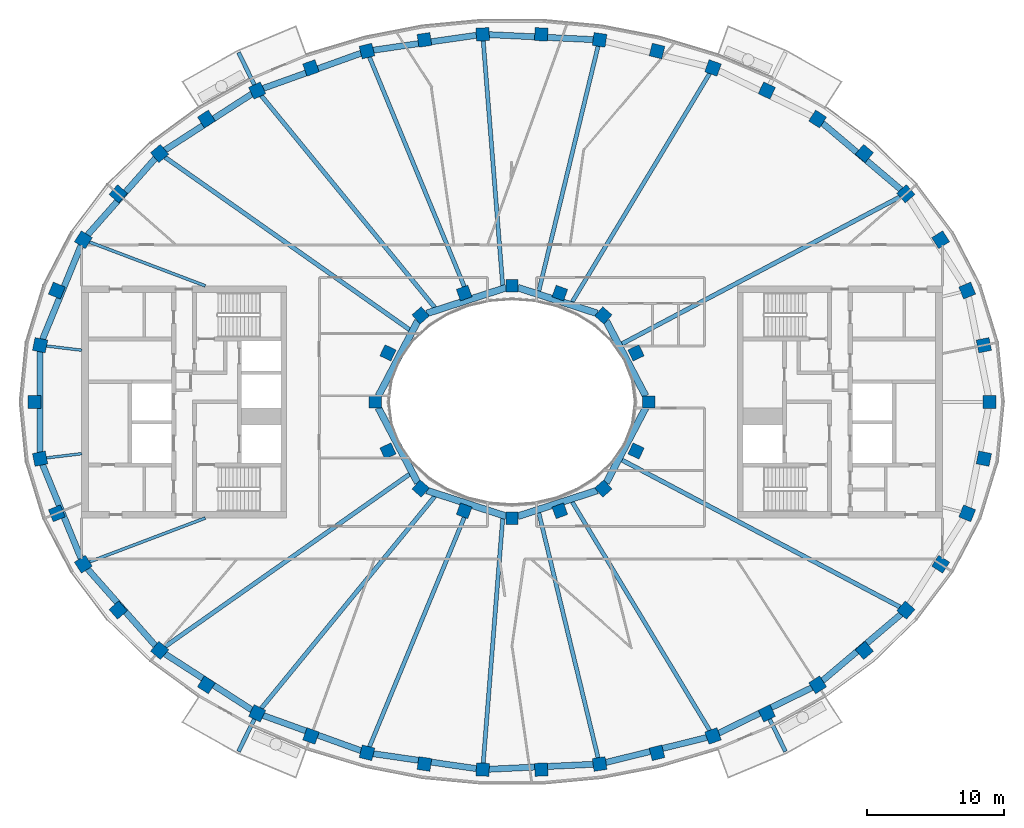
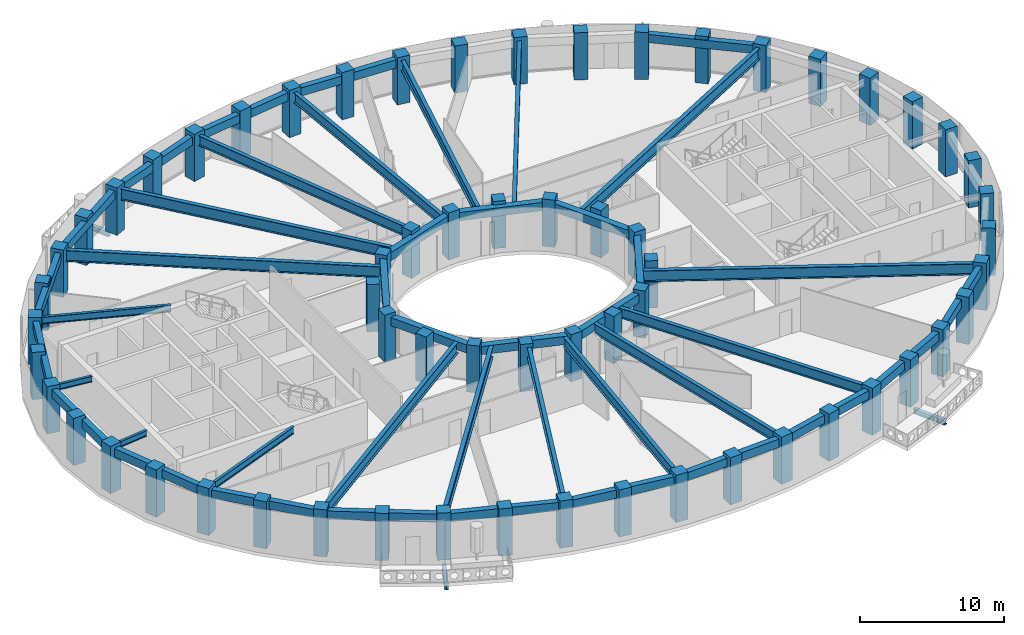
# One storey, part 1 of 15: 62 columns, 46 beams.
"""IFC4 building model written with IfcOpenShell, lengths in metres."""

from ifc_helpers import new_model, si_unit, direction, frame, origin, origin_2d, place, context, subcontext, project, spatial, rectangle, i_section, extrude, material, material_profile, profile_set, type_object, element, save


model = new_model("IFC4")

# Units and contexts
model_context = context("Model", 3, precision=1e-05, world=origin(), true_north=direction((0.0, 1.0)))
body_context = subcontext(model_context, "Body", "Model", "MODEL_VIEW")
ifc_project = project(units=[si_unit("LENGTHUNIT", "METRE"), si_unit("AREAUNIT", "SQUARE_METRE"), si_unit("VOLUMEUNIT", "CUBIC_METRE"), si_unit("PLANEANGLEUNIT", "RADIAN"), si_unit("MASSUNIT", "GRAM", prefix="KILO")], contexts=[model_context])

# Site, building, storey
site_placement = place(None, origin())
site = spatial("IfcSite", under=ifc_project, at=site_placement, CompositionType="ELEMENT")
building_placement = place(site_placement, origin())
building = spatial("IfcBuilding", under=site, at=building_placement, Name="Noorbagh Ring Tower", CompositionType="ELEMENT")
storey_placement = place(building_placement, frame((0.0, 0.0, 295.0)))
storey = spatial("IfcBuildingStorey", under=building, at=storey_placement, Name="L63", CompositionType="ELEMENT", Elevation=295.0)

# Columns
ifc_material_1 = material(Name="Concrete C50/60", Category="concrete")
ifc_material_profile_1 = material_profile(ifc_material_1, rectangle(XDim=0.949951171875, YDim=0.949951171875, at=origin_2d()), Name="RC950x950")
ifc_profile_set_1 = profile_set([ifc_material_profile_1], Name="Concrete C50/60")
column_type_1 = type_object("IfcColumnType", Name="STR-COL-RC950x950-C50-60", PredefinedType="COLUMN", material=ifc_profile_set_1)
for number, where, z_axis, x_axis, name in (
    (1, (34.944580078125, 0.0, 0.0), (0.0, 0.0, 1.0), (0.0, 1.0, 0.0), "L63/col/R1-01"),
    (2, (34.52685546875, 4.150634765625, 0.0), (0.0, 0.0, 1.0), (-0.19723040178, 0.9803571638, 0.0), "L63/col/R1-02"),
    (3, (33.30517578125, 8.1494140625, 0.0), (0.0, 0.0, 1.0), (-0.378989499959, 0.925400971969, 0.0), "L63/col/R1-03"),
    (4, (31.364990234375, 11.87109375, 0.0), (0.0, 0.0, 1.0), (-0.535190403059, 0.844731455833, 0.0), "L63/col/R1-04"),
    (5, (28.81884765625, 15.23046875, 0.0), (0.0, 0.0, 1.0), (-0.662635642662, 0.748941923699, 0.0), "L63/col/R1-05"),
    (6, (25.78271484375, 18.180419921875, 0.0), (0.0, 0.0, 1.0), (-0.763035199656, 0.646356932419, 0.0), "L63/col/R1-06"),
    (7, (22.362060546875, 20.699951171875, 0.0), (0.0, 0.0, 1.0), (-0.840247639643, 0.542202825586, 0.0), "L63/col/R1-07"),
    (8, (18.646240234375, 22.785400390625, 0.0), (0.0, 0.0, 1.0), (-0.898399080868, 0.439180021741, 0.0), "L63/col/R1-08"),
    (9, (14.70947265625, 24.44091796875, 0.0), (0.0, 0.0, 1.0), (-0.941024726094, 0.338337797003, 0.0), "L63/col/R1-09"),
    (10, (10.61328125, 25.673583984375, 0.0), (0.0, 0.0, 1.0), (-0.970829360981, 0.239771457553, 0.0), "L63/col/R1-10"),
    (11, (6.4091796875, 26.49072265625, 0.0), (0.0, 0.0, 1.0), (-0.989713114048, 0.143066249975, 0.0), "L63/col/R1-11"),
    (12, (2.14306640625, 26.89794921875, 0.0), (0.0, 0.0, 1.0), (-0.998868731212, 0.047552684538, 0.0), "L63/col/R1-12"),
    (13, (-2.14306640625, 26.89794921875, 0.0), (0.0, 0.0, 1.0), (-0.998868731212, -0.047552684538, 0.0), "L63/col/R1-13"),
    (14, (-6.4091796875, 26.49072265625, 0.0), (0.0, 0.0, 1.0), (-0.989713114048, -0.143066249975, 0.0), "L63/col/R1-14"),
    (15, (-10.61328125, 25.673583984375, 0.0), (0.0, 0.0, 1.0), (-0.970829360981, -0.239771457553, 0.0), "L63/col/R1-15"),
    (16, (-14.70947265625, 24.44091796875, 0.0), (0.0, 0.0, 1.0), (-0.941024726094, -0.338337797003, 0.0), "L63/col/R1-16"),
    (17, (-18.646240234375, 22.785400390625, 0.0), (0.0, 0.0, 1.0), (-0.898399080868, -0.439180021741, 0.0), "L63/col/R1-17"),
    (18, (-22.362060546875, 20.699951171875, 0.0), (0.0, 0.0, 1.0), (-0.840247639643, -0.542202825586, 0.0), "L63/col/R1-18"),
    (19, (-25.78271484375, 18.180419921875, 0.0), (0.0, 0.0, 1.0), (-0.763035199656, -0.646356932419, 0.0), "L63/col/R1-19"),
    (20, (-28.81884765625, 15.23046875, 0.0), (0.0, 0.0, 1.0), (-0.662635642662, -0.748941923699, 0.0), "L63/col/R1-20"),
    (21, (-31.364990234375, 11.87109375, 0.0), (0.0, 0.0, 1.0), (-0.535190403059, -0.844731455833, 0.0), "L63/col/R1-21"),
    (22, (-33.30517578125, 8.1494140625, 0.0), (0.0, 0.0, 1.0), (-0.378989499959, -0.925400971969, 0.0), "L63/col/R1-22"),
    (23, (-34.52685546875, 4.150634765625, 0.0), (0.0, 0.0, 1.0), (-0.19723040178, -0.9803571638, 0.0), "L63/col/R1-23"),
    (24, (-34.944580078125, 0.0, 0.0), (0.0, 0.0, 1.0), (0.0, -1.0, 0.0), "L63/col/R1-24"),
    (25, (-34.52685546875, -4.150634765625, 0.0), (0.0, 0.0, 1.0), (0.19723040178, -0.9803571638, 0.0), "L63/col/R1-25"),
    (26, (-33.30517578125, -8.1494140625, 0.0), (0.0, 0.0, 1.0), (0.378989499959, -0.925400971969, 0.0), "L63/col/R1-26"),
    (27, (-31.364990234375, -11.87109375, 0.0), (0.0, 0.0, 1.0), (0.535190403059, -0.844731455833, 0.0), "L63/col/R1-27"),
    (28, (-28.81884765625, -15.23046875, 0.0), (0.0, 0.0, 1.0), (0.662635642662, -0.748941923699, 0.0), "L63/col/R1-28"),
    (29, (-25.78271484375, -18.180419921875, 0.0), (0.0, 0.0, 1.0), (0.763035199656, -0.646356932419, 0.0), "L63/col/R1-29"),
    (30, (-22.362060546875, -20.699951171875, 0.0), (0.0, 0.0, 1.0), (0.840247639643, -0.542202825586, 0.0), "L63/col/R1-30"),
    (31, (-18.646240234375, -22.785400390625, 0.0), (0.0, 0.0, 1.0), (0.898399080868, -0.439180021741, 0.0), "L63/col/R1-31"),
    (32, (-14.70947265625, -24.44091796875, 0.0), (0.0, 0.0, 1.0), (0.941024726094, -0.338337797003, 0.0), "L63/col/R1-32"),
    (33, (-10.61328125, -25.673583984375, 0.0), (0.0, 0.0, 1.0), (0.970829360981, -0.239771457553, 0.0), "L63/col/R1-33"),
    (34, (-6.4091796875, -26.49072265625, 0.0), (0.0, 0.0, 1.0), (0.989713114048, -0.143066249975, 0.0), "L63/col/R1-34"),
    (35, (-2.14306640625, -26.89794921875, 0.0), (0.0, 0.0, 1.0), (0.998868731212, -0.047552684538, 0.0), "L63/col/R1-35"),
    (36, (2.14306640625, -26.89794921875, 0.0), (0.0, 0.0, 1.0), (0.998868731212, 0.047552684538, 0.0), "L63/col/R1-36"),
    (37, (6.4091796875, -26.49072265625, 0.0), (0.0, 0.0, 1.0), (0.989713114048, 0.143066249975, 0.0), "L63/col/R1-37"),
    (38, (10.61328125, -25.673583984375, 0.0), (0.0, 0.0, 1.0), (0.970829360981, 0.239771457553, 0.0), "L63/col/R1-38"),
    (39, (14.70947265625, -24.44091796875, 0.0), (0.0, 0.0, 1.0), (0.941024726094, 0.338337797003, 0.0), "L63/col/R1-39"),
    (40, (18.646240234375, -22.785400390625, 0.0), (0.0, 0.0, 1.0), (0.898399080868, 0.439180021741, 0.0), "L63/col/R1-40"),
    (41, (22.362060546875, -20.699951171875, 0.0), (0.0, 0.0, 1.0), (0.840247639643, 0.542202825586, 0.0), "L63/col/R1-41"),
    (42, (25.78271484375, -18.180419921875, 0.0), (0.0, 0.0, 1.0), (0.763035199656, 0.646356932419, 0.0), "L63/col/R1-42"),
    (43, (28.81884765625, -15.23046875, 0.0), (0.0, 0.0, 1.0), (0.662635642662, 0.748941923699, 0.0), "L63/col/R1-43"),
    (44, (31.364990234375, -11.87109375, 0.0), (0.0, 0.0, 1.0), (0.535190403059, 0.844731455833, 0.0), "L63/col/R1-44"),
    (45, (33.30517578125, -8.1494140625, 0.0), (0.0, 0.0, 1.0), (0.378989499959, 0.925400971969, 0.0), "L63/col/R1-45"),
    (46, (34.52685546875, -4.150634765625, 0.0), (0.0, 0.0, 1.0), (0.19723040178, 0.9803571638, 0.0), "L63/col/R1-46"),
):
    element("IfcColumn", number, at=place(storey_placement, frame(where, z_axis=z_axis, x_axis=x_axis)), inside=storey, type_object=column_type_1, Name=name, PredefinedType="COLUMN", context=body_context, shape_type="SweptSolid", body=[
        extrude(rectangle(XDim=0.949951171875, YDim=0.949951171875, at=origin_2d()), origin(), (0.0, 0.0, 1.0), 4.0),
    ])
ifc_material_2 = material(Name="Concrete C50/60", Category="concrete")
ifc_material_profile_2 = material_profile(ifc_material_2, rectangle(XDim=0.89990234375, YDim=0.89990234375, at=origin_2d()), Name="RC900x900")
ifc_profile_set_2 = profile_set([ifc_material_profile_2], Name="Concrete C50/60")
column_type_2 = type_object("IfcColumnType", Name="STR-ICOL-RC900x900-C50-60", PredefinedType="COLUMN", material=ifc_profile_set_2)
for number, where, z_axis, x_axis, name in (
    (47, (10.00830078125, 0.0, 0.0), (0.0, 0.0, 1.0), (0.0, 1.0, 0.0), "L63/col/IR2-W01"),
    (48, (9.07568359375, 3.58837890625, 0.0), (0.0, 0.0, 1.0), (-0.428666979171, 0.903462573087, 0.0), "L63/col/IR2-W03"),
    (49, (6.68212890625, 6.333740234375, 0.0), (0.0, 0.0, 1.0), (-0.75102249095, 0.660276622399, 0.0), "L63/col/IR2-W05"),
    (50, (3.5009765625, 7.967041015625, 0.0), (0.0, 0.0, 1.0), (-0.939019578916, 0.343863679984, 0.0), "L63/col/IR2-W07"),
    (51, (0.0, 8.5029296875, 0.0), (0.0, 0.0, 1.0), (-1.0, 0.0, 0.0), "L63/col/IR2-W09"),
    (52, (-3.5009765625, 7.967041015625, 0.0), (0.0, 0.0, 1.0), (-0.939019578916, -0.343863679984, 0.0), "L63/col/IR2-W11"),
    (53, (-6.68212890625, 6.333740234375, 0.0), (0.0, 0.0, 1.0), (-0.75102249095, -0.660276622399, 0.0), "L63/col/IR2-W13"),
    (54, (-9.07568359375, 3.58837890625, 0.0), (0.0, 0.0, 1.0), (-0.428666979171, -0.903462573087, 0.0), "L63/col/IR2-W15"),
    (55, (-10.00830078125, 0.0, 0.0), (0.0, 0.0, 1.0), (0.0, -1.0, 0.0), "L63/col/IR2-W17"),
    (56, (-9.07568359375, -3.58837890625, 0.0), (0.0, 0.0, 1.0), (0.428666979171, -0.903462573087, 0.0), "L63/col/IR2-W19"),
    (57, (-6.68212890625, -6.333740234375, 0.0), (0.0, 0.0, 1.0), (0.75102249095, -0.660276622399, 0.0), "L63/col/IR2-W21"),
    (58, (-3.5009765625, -7.967041015625, 0.0), (0.0, 0.0, 1.0), (0.939019578916, -0.343863679984, 0.0), "L63/col/IR2-W23"),
    (59, (0.0, -8.5029296875, 0.0), (0.0, 0.0, 1.0), (1.0, 0.0, 0.0), "L63/col/IR2-W25"),
    (60, (3.5009765625, -7.967041015625, 0.0), (0.0, 0.0, 1.0), (0.939019578916, 0.343863679984, 0.0), "L63/col/IR2-W27"),
    (61, (6.68212890625, -6.333740234375, 0.0), (0.0, 0.0, 1.0), (0.75102249095, 0.660276622399, 0.0), "L63/col/IR2-W29"),
    (62, (9.07568359375, -3.58837890625, 0.0), (0.0, 0.0, 1.0), (0.428666979171, 0.903462573087, 0.0), "L63/col/IR2-W31"),
):
    element("IfcColumn", number, at=place(storey_placement, frame(where, z_axis=z_axis, x_axis=x_axis)), inside=storey, type_object=column_type_2, Name=name, PredefinedType="COLUMN", context=body_context, shape_type="SweptSolid", body=[
        extrude(rectangle(XDim=0.89990234375, YDim=0.89990234375, at=origin_2d()), origin(), (0.0, 0.0, 1.0), 4.0),
    ])

# Beams
ifc_material_3 = material(Name="Steel S355", Category="steel")
ifc_material_profile_3 = material_profile(ifc_material_3, i_section(OverallWidth=0.300048828125, OverallDepth=0.39990234375, WebThickness=0.013427734375, FlangeThickness=0.02392578125, FilletRadius=0.027099609375, at=origin_2d()), Name="HEB400")
ifc_profile_set_3 = profile_set([ifc_material_profile_3], Name="Steel S355")
beam_type_1 = type_object("IfcBeamType", Name="STR-BALCONY-BRACKET-HEB400", PredefinedType="BEAM", material=ifc_profile_set_3)
for number, where, z_axis, x_axis, name in (
    (63, (-18.84619140625, 23.194091796875, -0.5), (-0.439236567713, 0.898371436313, 0.0), (-0.898371436313, -0.439236567713, 0.0), "Balcony bracket beam BN05"),
    (64, (-18.84619140625, -23.194091796875, -0.5), (-0.439236567713, -0.898371436313, 0.0), (0.898371436313, -0.439236567713, 0.0), "Balcony bracket beam BS02"),
    (65, (18.84619140625, -23.194091796875, -0.5), (0.439236567713, -0.898371436313, 0.0), (0.898371436313, 0.439236567713, 0.0), "Balcony bracket beam BS05"),
):
    element("IfcBeam", number, at=place(storey_placement, frame(where, z_axis=z_axis, x_axis=x_axis)), inside=storey, type_object=beam_type_1, Name=name, PredefinedType="BEAM", context=body_context, shape_type="SweptSolid", body=[
        extrude(i_section(OverallWidth=0.300048828125, OverallDepth=0.39990234375, WebThickness=0.013427734375, FlangeThickness=0.02392578125, FilletRadius=0.027099609375, at=origin_2d()), origin(), (0.0, 0.0, 1.0), 2.650146484375),
    ])
ifc_material_4 = material(Name="Steel S355", Category="steel")
ifc_material_profile_4 = material_profile(ifc_material_4, i_section(OverallWidth=0.199951171875, OverallDepth=0.5, WebThickness=0.01025390625, FlangeThickness=0.01611328125, FilletRadius=0.02099609375, at=origin_2d()), Name="IPE500")
ifc_profile_set_4 = profile_set([ifc_material_profile_4], Name="Steel S355")
beam_type_2 = type_object("IfcBeamType", Name="STR-RAD-IPE500", PredefinedType="BEAM", material=ifc_profile_set_4)
for number, where, z_axis, x_axis, name in (
    (66, (-34.073486328125, 4.09619140625, 3.449951171875), (0.99285071941, -0.11936267828, 0.0), (0.11936267828, 0.99285071941, 0.0), "L63/bm/RD23"),
    (67, (-34.073486328125, -4.09619140625, 3.449951171875), (0.99285071941, 0.11936267828, 0.0), (-0.11936267828, 0.99285071941, 0.0), "L63/bm/RD25"),
):
    element("IfcBeam", number, at=place(storey_placement, frame(where, z_axis=z_axis, x_axis=x_axis)), inside=storey, type_object=beam_type_2, Name=name, PredefinedType="BEAM", context=body_context, shape_type="SweptSolid", body=[
        extrude(i_section(OverallWidth=0.199951171875, OverallDepth=0.5, WebThickness=0.01025390625, FlangeThickness=0.01611328125, FilletRadius=0.02099609375, at=origin_2d()), origin(), (0.0, 0.0, 1.0), 2.61181640625),
    ])
ifc_material_5 = material(Name="Steel S355", Category="steel")
ifc_material_profile_5 = material_profile(ifc_material_5, i_section(OverallWidth=0.219970703125, OverallDepth=0.60009765625, WebThickness=0.011962890625, FlangeThickness=0.01904296875, FilletRadius=0.02392578125, at=origin_2d()), Name="IPE600")
ifc_profile_set_5 = profile_set([ifc_material_profile_5], Name="Steel S355")
beam_type_3 = type_object("IfcBeamType", Name="STR-RAD-IPE600", PredefinedType="BEAM", material=ifc_profile_set_5)
for number, where, z_axis, x_axis, name in (
    (68, (-30.93017578125, 11.706298828125, 3.39990234375), (0.935258347676, -0.353965850192, 0.0), (0.353965850192, 0.935258347676, 0.0), "L63/bm/RD21"),
    (69, (-30.93017578125, -11.706298828125, 3.39990234375), (0.935258347676, 0.353965850192, 0.0), (-0.353965850192, 0.935258347676, 0.0), "L63/bm/RD27"),
):
    element("IfcBeam", number, at=place(storey_placement, frame(where, z_axis=z_axis, x_axis=x_axis)), inside=storey, type_object=beam_type_3, Name=name, PredefinedType="BEAM", context=body_context, shape_type="SweptSolid", body=[
        extrude(i_section(OverallWidth=0.219970703125, OverallDepth=0.60009765625, WebThickness=0.011962890625, FlangeThickness=0.01904296875, FilletRadius=0.02392578125, at=origin_2d()), origin(), (0.0, 0.0, 1.0), 9.078125),
    ])
ifc_material_6 = material(Name="Steel S355", Category="steel")
ifc_material_profile_6 = material_profile(ifc_material_6, i_section(OverallWidth=0.300048828125, OverallDepth=0.85009765625, WebThickness=0.013916015625, FlangeThickness=0.028076171875, at=origin_2d()), Name="PG850x300x14x28")
ifc_profile_set_6 = profile_set([ifc_material_profile_6], Name="Steel S355")
beam_type_4 = type_object("IfcBeamType", Name="STR-RAD-PG850x300x14x28", PredefinedType="BEAM", material=ifc_profile_set_6)
beam_1_placement = place(storey_placement, frame((14.469970703125, 24.04296875, 3.27490234375), z_axis=(-0.515650204939, -0.856799198264, 0.0), x_axis=(0.856799198264, -0.515650204939, 0.0)))
element("IfcBeam", 70, at=beam_1_placement, inside=storey, type_object=beam_type_4, Name="L63/bm/RD09", PredefinedType="BEAM", context=body_context, shape_type="SweptSolid", body=[
    extrude(i_section(OverallWidth=0.300048828125, OverallDepth=0.85009765625, WebThickness=0.013916015625, FlangeThickness=0.028076171875, at=origin_2d()), origin(), (0.0, 0.0, 1.0), 19.522705078125),
])
beam_2_placement = place(storey_placement, frame((6.3017578125, 26.046630859375, 3.27490234375), z_axis=(-0.235155145901, -0.97195784752, 0.0), x_axis=(0.97195784752, -0.235155145901, 0.0)))
element("IfcBeam", 71, at=beam_2_placement, inside=storey, type_object=beam_type_4, Name="L63/bm/RD11", PredefinedType="BEAM", context=body_context, shape_type="SweptSolid", body=[
    extrude(i_section(OverallWidth=0.300048828125, OverallDepth=0.85009765625, WebThickness=0.013916015625, FlangeThickness=0.028076171875, at=origin_2d()), origin(), (0.0, 0.0, 1.0), 18.456298828125),
])
beam_3_placement = place(storey_placement, frame((-2.10693359375, 26.444091796875, 3.27490234375), z_axis=(0.079423498712, -0.996840964172, 0.0), x_axis=(0.996840964172, 0.079423498712, 0.0)))
element("IfcBeam", 72, at=beam_3_placement, inside=storey, type_object=beam_type_4, Name="L63/bm/RD13", PredefinedType="BEAM", context=body_context, shape_type="SweptSolid", body=[
    extrude(i_section(OverallWidth=0.300048828125, OverallDepth=0.85009765625, WebThickness=0.013916015625, FlangeThickness=0.028076171875, at=origin_2d()), origin(), (0.0, 0.0, 1.0), 17.976318359375),
])
for number, where, z_axis, x_axis, name in (
    (73, (-10.437255859375, 25.248046875, 3.27490234375), (0.382035124729, -0.924147803911, 0.0), (0.924147803911, 0.382035124729, 0.0), "L63/bm/RD15"),
    (74, (-10.437255859375, -25.248046875, 3.27490234375), (0.382035124729, 0.924147803911, 0.0), (-0.924147803911, 0.382035124729, 0.0), "L63/bm/RD33"),
):
    element("IfcBeam", number, at=place(storey_placement, frame(where, z_axis=z_axis, x_axis=x_axis)), inside=storey, type_object=beam_type_4, Name=name, PredefinedType="BEAM", context=body_context, shape_type="SweptSolid", body=[
        extrude(i_section(OverallWidth=0.300048828125, OverallDepth=0.85009765625, WebThickness=0.013916015625, FlangeThickness=0.028076171875, at=origin_2d()), origin(), (0.0, 0.0, 1.0), 18.977294921875),
    ])
beam_4_placement = place(storey_placement, frame((-2.10693359375, -26.444091796875, 3.27490234375), z_axis=(0.079423498712, 0.996840964172, 0.0), x_axis=(-0.996840964172, 0.079423498712, 0.0)))
element("IfcBeam", 75, at=beam_4_placement, inside=storey, type_object=beam_type_4, Name="L63/bm/RD35", PredefinedType="BEAM", context=body_context, shape_type="SweptSolid", body=[
    extrude(i_section(OverallWidth=0.300048828125, OverallDepth=0.85009765625, WebThickness=0.013916015625, FlangeThickness=0.028076171875, at=origin_2d()), origin(), (0.0, 0.0, 1.0), 17.976318359375),
])
beam_5_placement = place(storey_placement, frame((6.3017578125, -26.046630859375, 3.27490234375), z_axis=(-0.235155145901, 0.97195784752, 0.0), x_axis=(-0.97195784752, -0.235155145901, 0.0)))
element("IfcBeam", 76, at=beam_5_placement, inside=storey, type_object=beam_type_4, Name="L63/bm/RD37", PredefinedType="BEAM", context=body_context, shape_type="SweptSolid", body=[
    extrude(i_section(OverallWidth=0.300048828125, OverallDepth=0.85009765625, WebThickness=0.013916015625, FlangeThickness=0.028076171875, at=origin_2d()), origin(), (0.0, 0.0, 1.0), 18.456298828125),
])
beam_6_placement = place(storey_placement, frame((14.469970703125, -24.04296875, 3.27490234375), z_axis=(-0.515650204939, 0.856799198264, 0.0), x_axis=(-0.856799198264, -0.515650204939, 0.0)))
element("IfcBeam", 77, at=beam_6_placement, inside=storey, type_object=beam_type_4, Name="L63/bm/RD39", PredefinedType="BEAM", context=body_context, shape_type="SweptSolid", body=[
    extrude(i_section(OverallWidth=0.300048828125, OverallDepth=0.85009765625, WebThickness=0.013916015625, FlangeThickness=0.028076171875, at=origin_2d()), origin(), (0.0, 0.0, 1.0), 19.522705078125),
])
ifc_material_7 = material(Name="Steel S355", Category="steel")
ifc_material_profile_7 = material_profile(ifc_material_7, i_section(OverallWidth=0.320068359375, OverallDepth=0.949951171875, WebThickness=0.01611328125, FlangeThickness=0.030029296875, at=origin_2d()), Name="PG950x320x16x30")
ifc_profile_set_7 = profile_set([ifc_material_profile_7], Name="Steel S355")
beam_type_5 = type_object("IfcBeamType", Name="STR-RAD-PG950x320x16x30", PredefinedType="BEAM", material=ifc_profile_set_7)
beam_7_placement = place(storey_placement, frame((28.404296875, 15.011474609375, 3.22509765625), z_axis=(-0.884125650742, -0.467249220118, 0.0), x_axis=(0.467249220118, -0.884125650742, 0.0)))
element("IfcBeam", 78, at=beam_7_placement, inside=storey, type_object=beam_type_5, Name="L63/bm/RD05", PredefinedType="BEAM", context=body_context, shape_type="SweptSolid", body=[
    extrude(i_section(OverallWidth=0.320068359375, OverallDepth=0.949951171875, WebThickness=0.01611328125, FlangeThickness=0.030029296875, at=origin_2d()), origin(), (0.0, 0.0, 1.0), 23.0361328125),
])
beam_8_placement = place(storey_placement, frame((-18.349853515625, 22.42333984375, 3.22509765625), z_axis=(0.633310080716, -0.773898146828, 0.0), x_axis=(0.773898146828, 0.633310080716, 0.0)))
element("IfcBeam", 79, at=beam_8_placement, inside=storey, type_object=beam_type_5, Name="L63/bm/RD17", PredefinedType="BEAM", context=body_context, shape_type="SweptSolid", body=[
    extrude(i_section(OverallWidth=0.320068359375, OverallDepth=0.949951171875, WebThickness=0.01611328125, FlangeThickness=0.030029296875, at=origin_2d()), origin(), (0.0, 0.0, 1.0), 20.045166015625),
])
for number, where, z_axis, x_axis, name in (
    (80, (-25.39794921875, 17.908935546875, 3.22509765625), (0.817258066594, -0.576271856494, 0.0), (0.576271856494, 0.817258066594, 0.0), "L63/bm/RD19"),
    (81, (-25.39794921875, -17.908935546875, 3.22509765625), (0.817258066594, 0.576271856494, 0.0), (-0.576271856494, 0.817258066594, 0.0), "L63/bm/RD29"),
):
    element("IfcBeam", number, at=place(storey_placement, frame(where, z_axis=z_axis, x_axis=x_axis)), inside=storey, type_object=beam_type_5, Name=name, PredefinedType="BEAM", context=body_context, shape_type="SweptSolid", body=[
        extrude(i_section(OverallWidth=0.320068359375, OverallDepth=0.949951171875, WebThickness=0.01611328125, FlangeThickness=0.030029296875, at=origin_2d()), origin(), (0.0, 0.0, 1.0), 21.907958984375),
    ])
beam_9_placement = place(storey_placement, frame((-18.349853515625, -22.42333984375, 3.22509765625), z_axis=(0.633310080716, 0.773898146828, 0.0), x_axis=(-0.773898146828, 0.633310080716, 0.0)))
element("IfcBeam", 82, at=beam_9_placement, inside=storey, type_object=beam_type_5, Name="L63/bm/RD31", PredefinedType="BEAM", context=body_context, shape_type="SweptSolid", body=[
    extrude(i_section(OverallWidth=0.320068359375, OverallDepth=0.949951171875, WebThickness=0.01611328125, FlangeThickness=0.030029296875, at=origin_2d()), origin(), (0.0, 0.0, 1.0), 20.045166015625),
])
beam_10_placement = place(storey_placement, frame((28.404296875, -15.011474609375, 3.22509765625), z_axis=(-0.884125650742, 0.467249220118, 0.0), x_axis=(-0.467249220118, -0.884125650742, 0.0)))
element("IfcBeam", 83, at=beam_10_placement, inside=storey, type_object=beam_type_5, Name="L63/bm/RD43", PredefinedType="BEAM", context=body_context, shape_type="SweptSolid", body=[
    extrude(i_section(OverallWidth=0.320068359375, OverallDepth=0.949951171875, WebThickness=0.01611328125, FlangeThickness=0.030029296875, at=origin_2d()), origin(), (0.0, 0.0, 1.0), 23.0361328125),
])
ifc_material_8 = material(Name="Concrete C40/50", Category="concrete")
ifc_material_profile_8 = material_profile(ifc_material_8, rectangle(XDim=0.5, YDim=0.699951171875, at=origin_2d()), Name="RC500x700")
ifc_profile_set_8 = profile_set([ifc_material_profile_8], Name="Concrete C40/50")
beam_type_6 = type_object("IfcBeamType", Name="STR-RB-RC500x700-C40-50", PredefinedType="BEAM", material=ifc_profile_set_8)
beam_11_placement = place(storey_placement, frame((9.781494140625, 0.432373046875, 3.35009765625), z_axis=(-0.464959609013, 0.885331893691, 0.0), x_axis=(-0.885331893691, -0.464959609013, 0.0)))
element("IfcBeam", 84, at=beam_11_placement, inside=storey, type_object=beam_type_6, Name="L63/bm/RG01", PredefinedType="BEAM", context=body_context, shape_type="SweptSolid", body=[
    extrude(rectangle(XDim=0.5, YDim=0.699951171875, at=origin_2d()), origin(), (0.0, 0.0, 1.0), 6.203857421875),
])
for number, where, z_axis, x_axis, name in (
    (85, (6.235107421875, 6.47900390625, 3.35009765625), (-0.951146317375, 0.308740478303, 0.0), (-0.308740478303, -0.951146317375, 0.0), "L63/bm/RG03"),
    (86, (-0.430908203125, 8.363037109375, 3.35009765625), (-0.951146317375, -0.308740478303, 0.0), (0.308740478303, -0.951146317375, 0.0), "L63/bm/RG05"),
):
    element("IfcBeam", number, at=place(storey_placement, frame(where, z_axis=z_axis, x_axis=x_axis)), inside=storey, type_object=beam_type_6, Name=name, PredefinedType="BEAM", context=body_context, shape_type="SweptSolid", body=[
        extrude(rectangle(XDim=0.5, YDim=0.699951171875, at=origin_2d()), origin(), (0.0, 0.0, 1.0), 6.102294921875),
    ])
for number, where, z_axis, x_axis, name in (
    (87, (-6.89697265625, 5.9248046875, 3.35009765625), (-0.464959609013, -0.885331893691, 0.0), (0.885331893691, -0.464959609013, 0.0), "L63/bm/RG07"),
    (88, (-9.781494140625, -0.432373046875, 3.35009765625), (0.464959609013, -0.885331893691, 0.0), (0.885331893691, 0.464959609013, 0.0), "L63/bm/RG09"),
):
    element("IfcBeam", number, at=place(storey_placement, frame(where, z_axis=z_axis, x_axis=x_axis)), inside=storey, type_object=beam_type_6, Name=name, PredefinedType="BEAM", context=body_context, shape_type="SweptSolid", body=[
        extrude(rectangle(XDim=0.5, YDim=0.699951171875, at=origin_2d()), origin(), (0.0, 0.0, 1.0), 6.203857421875),
    ])
for number, where, z_axis, x_axis, name in (
    (89, (-6.235107421875, -6.47900390625, 3.35009765625), (0.951146317375, -0.308740478303, 0.0), (0.308740478303, 0.951146317375, 0.0), "L63/bm/RG11"),
    (90, (0.430908203125, -8.363037109375, 3.35009765625), (0.951146317375, 0.308740478303, 0.0), (-0.308740478303, 0.951146317375, 0.0), "L63/bm/RG13"),
):
    element("IfcBeam", number, at=place(storey_placement, frame(where, z_axis=z_axis, x_axis=x_axis)), inside=storey, type_object=beam_type_6, Name=name, PredefinedType="BEAM", context=body_context, shape_type="SweptSolid", body=[
        extrude(rectangle(XDim=0.5, YDim=0.699951171875, at=origin_2d()), origin(), (0.0, 0.0, 1.0), 6.102294921875),
    ])
beam_12_placement = place(storey_placement, frame((6.89697265625, -5.9248046875, 3.35009765625), z_axis=(0.464959609013, 0.885331893691, 0.0), x_axis=(-0.885331893691, 0.464959609013, 0.0)))
element("IfcBeam", 91, at=beam_12_placement, inside=storey, type_object=beam_type_6, Name="L63/bm/RG15", PredefinedType="BEAM", context=body_context, shape_type="SweptSolid", body=[
    extrude(rectangle(XDim=0.5, YDim=0.699951171875, at=origin_2d()), origin(), (0.0, 0.0, 1.0), 6.203857421875),
])
ifc_material_9 = material(Name="Concrete C40/50", Category="concrete")
ifc_material_profile_9 = material_profile(ifc_material_9, rectangle(XDim=0.449951171875, YDim=0.699951171875, at=origin_2d()), Name="RC450x700")
ifc_profile_set_9 = profile_set([ifc_material_profile_9], Name="Concrete C40/50")
beam_type_7 = type_object("IfcBeamType", Name="STR-SB-RC450x700-C40-50", PredefinedType="BEAM", material=ifc_profile_set_9)
beam_13_placement = place(storey_placement, frame((28.4677734375, 15.52783203125, 3.35009765625), z_axis=(-0.763022759798, 0.646371617594, 0.0), x_axis=(-0.646371617594, -0.763022759798, 0.0)))
element("IfcBeam", 92, at=beam_13_placement, inside=storey, type_object=beam_type_7, Name="L63/bm/SP05", PredefinedType="BEAM", context=body_context, shape_type="SweptSolid", body=[
    extrude(rectangle(XDim=0.449951171875, YDim=0.699951171875, at=origin_2d()), origin(), (0.0, 0.0, 1.0), 7.54296875),
])
beam_14_placement = place(storey_placement, frame((5.95263671875, 26.5126953125, 3.35009765625), z_axis=(-0.998869653919, 0.047533298648, 0.0), x_axis=(-0.047533298648, -0.998869653919, 0.0)))
element("IfcBeam", 93, at=beam_14_placement, inside=storey, type_object=beam_type_7, Name="L63/bm/SP11", PredefinedType="BEAM", context=body_context, shape_type="SweptSolid", body=[
    extrude(rectangle(XDim=0.449951171875, YDim=0.699951171875, at=origin_2d()), origin(), (0.0, 0.0, 1.0), 7.647705078125),
])
beam_15_placement = place(storey_placement, frame((-2.595703125, 26.83251953125, 3.35009765625), z_axis=(-0.989713688826, -0.14306227368, 0.0), x_axis=(0.14306227368, -0.989713688826, 0.0)))
element("IfcBeam", 94, at=beam_15_placement, inside=storey, type_object=beam_type_7, Name="L63/bm/SP13", PredefinedType="BEAM", context=body_context, shape_type="SweptSolid", body=[
    extrude(rectangle(XDim=0.449951171875, YDim=0.699951171875, at=origin_2d()), origin(), (0.0, 0.0, 1.0), 7.6435546875),
])
beam_16_placement = place(storey_placement, frame((-11.043701171875, 25.518798828125, 3.35009765625), z_axis=(-0.941030260788, -0.338322402866, 0.0), x_axis=(0.338322402866, -0.941030260788, 0.0)))
element("IfcBeam", 95, at=beam_16_placement, inside=storey, type_object=beam_type_7, Name="L63/bm/SP15", PredefinedType="BEAM", context=body_context, shape_type="SweptSolid", body=[
    extrude(rectangle(XDim=0.449951171875, YDim=0.699951171875, at=origin_2d()), origin(), (0.0, 0.0, 1.0), 7.62109375),
])
beam_17_placement = place(storey_placement, frame((-19.031494140625, 22.536865234375, 3.35009765625), z_axis=(-0.840242183288, -0.542211281165, 0.0), x_axis=(0.542211281165, -0.840242183288, 0.0)))
element("IfcBeam", 96, at=beam_17_placement, inside=storey, type_object=beam_type_7, Name="L63/bm/SP17", PredefinedType="BEAM", context=body_context, shape_type="SweptSolid", body=[
    extrude(rectangle(XDim=0.449951171875, YDim=0.699951171875, at=origin_2d()), origin(), (0.0, 0.0, 1.0), 7.57568359375),
])
beam_18_placement = place(storey_placement, frame((-26.08740234375, 17.8359375, 3.35009765625), z_axis=(-0.662645487246, -0.748933213466, 0.0), x_axis=(0.748933213466, -0.662645487246, 0.0)))
element("IfcBeam", 97, at=beam_18_placement, inside=storey, type_object=beam_type_7, Name="L63/bm/SP19", PredefinedType="BEAM", context=body_context, shape_type="SweptSolid", body=[
    extrude(rectangle(XDim=0.449951171875, YDim=0.699951171875, at=origin_2d()), origin(), (0.0, 0.0, 1.0), 7.50341796875),
])
beam_19_placement = place(storey_placement, frame((-31.540283203125, 11.443115234375, 3.35009765625), z_axis=(-0.378989151692, -0.925401114598, 0.0), x_axis=(0.925401114598, -0.378989151692, 0.0)))
element("IfcBeam", 98, at=beam_19_placement, inside=storey, type_object=beam_type_7, Name="L63/bm/SP21", PredefinedType="BEAM", context=body_context, shape_type="SweptSolid", body=[
    extrude(rectangle(XDim=0.449951171875, YDim=0.699951171875, at=origin_2d()), origin(), (0.0, 0.0, 1.0), 7.41650390625),
])
beam_20_placement = place(storey_placement, frame((-34.52685546875, 3.68603515625, 3.35009765625), z_axis=(0.0, -1.0, 0.0), x_axis=(1.0, 0.0, 0.0)))
element("IfcBeam", 99, at=beam_20_placement, inside=storey, type_object=beam_type_7, Name="L63/bm/SP23", PredefinedType="BEAM", context=body_context, shape_type="SweptSolid", body=[
    extrude(rectangle(XDim=0.449951171875, YDim=0.699951171875, at=origin_2d()), origin(), (0.0, 0.0, 1.0), 7.3720703125),
])
beam_21_placement = place(storey_placement, frame((-34.35107421875, -4.579833984375, 3.35009765625), z_axis=(0.378989151692, -0.925401114598, 0.0), x_axis=(0.925401114598, 0.378989151692, 0.0)))
element("IfcBeam", 100, at=beam_21_placement, inside=storey, type_object=beam_type_7, Name="L63/bm/SP25", PredefinedType="BEAM", context=body_context, shape_type="SweptSolid", body=[
    extrude(rectangle(XDim=0.449951171875, YDim=0.699951171875, at=origin_2d()), origin(), (0.0, 0.0, 1.0), 7.41650390625),
])
beam_22_placement = place(storey_placement, frame((-31.0595703125, -12.21630859375, 3.35009765625), z_axis=(0.662645487246, -0.748933213466, 0.0), x_axis=(0.748933213466, 0.662645487246, 0.0)))
element("IfcBeam", 101, at=beam_22_placement, inside=storey, type_object=beam_type_7, Name="L63/bm/SP27", PredefinedType="BEAM", context=body_context, shape_type="SweptSolid", body=[
    extrude(rectangle(XDim=0.449951171875, YDim=0.699951171875, at=origin_2d()), origin(), (0.0, 0.0, 1.0), 7.50341796875),
])
beam_23_placement = place(storey_placement, frame((-25.39697265625, -18.42919921875, 3.35009765625), z_axis=(0.840242183288, -0.542211281165, 0.0), x_axis=(0.542211281165, 0.840242183288, 0.0)))
element("IfcBeam", 102, at=beam_23_placement, inside=storey, type_object=beam_type_7, Name="L63/bm/SP29", PredefinedType="BEAM", context=body_context, shape_type="SweptSolid", body=[
    extrude(rectangle(XDim=0.449951171875, YDim=0.699951171875, at=origin_2d()), origin(), (0.0, 0.0, 1.0), 7.57568359375),
])
beam_24_placement = place(storey_placement, frame((-18.21533203125, -22.9404296875, 3.35009765625), z_axis=(0.941030260788, -0.338322402866, 0.0), x_axis=(0.338322402866, 0.941030260788, 0.0)))
element("IfcBeam", 103, at=beam_24_placement, inside=storey, type_object=beam_type_7, Name="L63/bm/SP31", PredefinedType="BEAM", context=body_context, shape_type="SweptSolid", body=[
    extrude(rectangle(XDim=0.449951171875, YDim=0.699951171875, at=origin_2d()), origin(), (0.0, 0.0, 1.0), 7.62109375),
])
beam_25_placement = place(storey_placement, frame((-10.16064453125, -25.739013671875, 3.35009765625), z_axis=(0.989713688826, -0.14306227368, 0.0), x_axis=(0.14306227368, 0.989713688826, 0.0)))
element("IfcBeam", 104, at=beam_25_placement, inside=storey, type_object=beam_type_7, Name="L63/bm/SP33", PredefinedType="BEAM", context=body_context, shape_type="SweptSolid", body=[
    extrude(rectangle(XDim=0.449951171875, YDim=0.699951171875, at=origin_2d()), origin(), (0.0, 0.0, 1.0), 7.6435546875),
])
beam_26_placement = place(storey_placement, frame((-1.6865234375, -26.876220703125, 3.35009765625), z_axis=(0.998869653919, 0.047533298648, 0.0), x_axis=(-0.047533298648, 0.998869653919, 0.0)))
element("IfcBeam", 105, at=beam_26_placement, inside=storey, type_object=beam_type_7, Name="L63/bm/SP35", PredefinedType="BEAM", context=body_context, shape_type="SweptSolid", body=[
    extrude(rectangle(XDim=0.449951171875, YDim=0.699951171875, at=origin_2d()), origin(), (0.0, 0.0, 1.0), 7.647705078125),
])
beam_27_placement = place(storey_placement, frame((6.853271484375, -26.381103515625, 3.35009765625), z_axis=(0.970830763324, 0.239765779427, 0.0), x_axis=(-0.239765779427, 0.970830763324, 0.0)))
element("IfcBeam", 106, at=beam_27_placement, inside=storey, type_object=beam_type_7, Name="L63/bm/SP37", PredefinedType="BEAM", context=body_context, shape_type="SweptSolid", body=[
    extrude(rectangle(XDim=0.449951171875, YDim=0.699951171875, at=origin_2d()), origin(), (0.0, 0.0, 1.0), 7.634765625),
])
beam_28_placement = place(storey_placement, frame((15.120849609375, -24.23974609375, 3.35009765625), z_axis=(0.898405762579, 0.43916635318, 0.0), x_axis=(-0.43916635318, 0.898405762579, 0.0)))
element("IfcBeam", 107, at=beam_28_placement, inside=storey, type_object=beam_type_7, Name="L63/bm/SP39", PredefinedType="BEAM", context=body_context, shape_type="SweptSolid", body=[
    extrude(rectangle(XDim=0.449951171875, YDim=0.699951171875, at=origin_2d()), origin(), (0.0, 0.0, 1.0), 7.6015625),
])
beam_29_placement = place(storey_placement, frame((22.71240234375, -20.4033203125, 3.35009765625), z_axis=(0.763022759798, 0.646371617594, 0.0), x_axis=(-0.646371617594, 0.763022759798, 0.0)))
element("IfcBeam", 108, at=beam_29_placement, inside=storey, type_object=beam_type_7, Name="L63/bm/SP41", PredefinedType="BEAM", context=body_context, shape_type="SweptSolid", body=[
    extrude(rectangle(XDim=0.449951171875, YDim=0.699951171875, at=origin_2d()), origin(), (0.0, 0.0, 1.0), 7.54296875),
])

save(model, "model.ifc")
